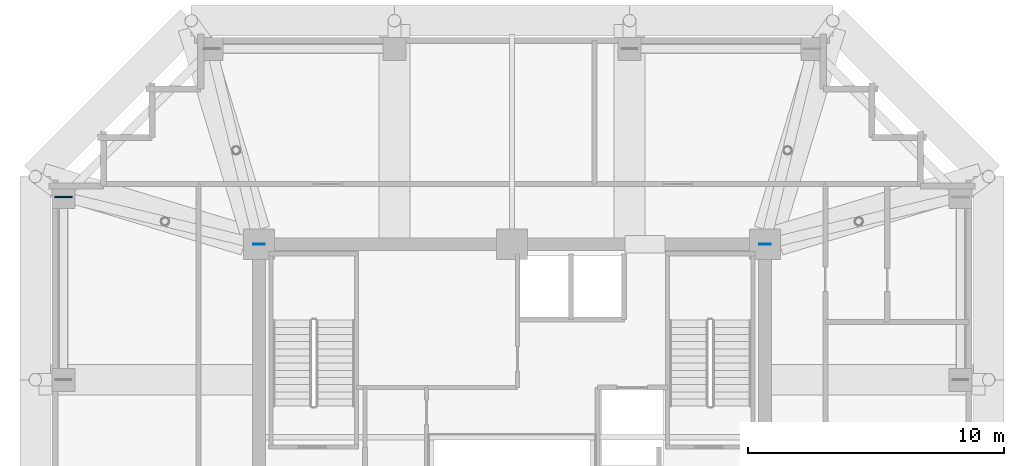
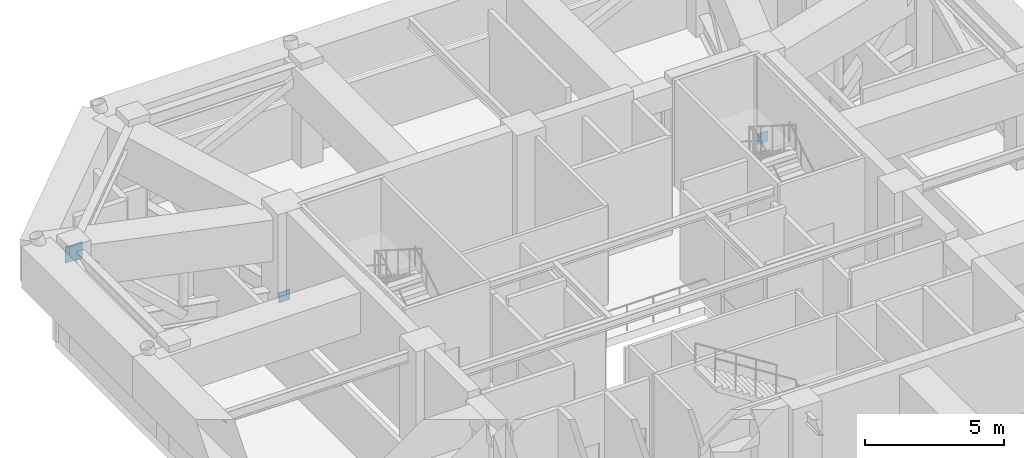
# One storey, part 8 of 12: 3 plates.
"""IFC4 building model written with IfcOpenShell, lengths in metres."""

import ifcopenshell
import ifcopenshell.guid

model = None  # the IFC model being written
_history = None  # IfcOwnerHistory: only IFC2X3 demands one
_inside = {}  # id of a spatial element -> (the spatial element, [elements in it])
_under = {}  # id of a project, library or spatial element -> (it, [spatial elements below it])
_declared = {}  # id of a project -> (the project, [libraries it declares])
_typed = {}  # id of a type object -> (the type object, [elements of that type])
_made_of = {}  # id of a material, layer set ... -> (it, [elements and type objects made of it])


def new_model(schema):
    """Start an empty IFC model of exactly this schema.

    Asked for "IFC4X3", IfcOpenShell would pick the latest addendum, in which some entities
    have other attributes; the version numbers below select the first issue.
    IFC2X3 requires an IfcOwnerHistory on every rooted entity: one is made here for all.
    """
    global model, _history
    if schema == "IFC4X3":
        model = ifcopenshell.file(schema_version=(4, 3, 0, 0))
    else:
        model = ifcopenshell.file(schema=schema)
    _inside.clear()
    _under.clear()
    _declared.clear()
    _typed.clear()
    _made_of.clear()
    _history = None
    if model.schema == "IFC2X3":
        org = make("IfcOrganization", Name="unknown")
        user = make(
            "IfcPersonAndOrganization",
            ThePerson=make("IfcPerson", FamilyName="unknown"),
            TheOrganization=org,
        )
        app = make(
            "IfcApplication",
            ApplicationDeveloper=org,
            Version="unknown",
            ApplicationFullName="unknown",
            ApplicationIdentifier="unknown",
        )
        _history = make(
            "IfcOwnerHistory",
            OwningUser=user,
            OwningApplication=app,
            ChangeAction="ADDED",
            CreationDate=0,
        )
    return model


def make(cls, **values):
    """One entity of the class cls with the attributes given. An attribute that is None is left unset."""
    return model.create_entity(
        cls, **{name: value for name, value in values.items() if value is not None}
    )


def rooted(cls, **values):
    """An entity with a GlobalId (a new one), such as an element, a storey or a relation."""
    return make(cls, GlobalId=ifcopenshell.guid.new(), OwnerHistory=_history, **values)


def si_unit(unit_type, name, prefix=None):
    """IfcSIUnit, for example si_unit("LENGTHUNIT", "METRE", prefix="MILLI")."""
    return make("IfcSIUnit", UnitType=unit_type, Prefix=prefix, Name=name)


def assignment(units):
    """IfcUnitAssignment: the units of a project."""
    return None if units is None else make("IfcUnitAssignment", Units=units)


def point(xyz):
    """IfcCartesianPoint."""
    return None if xyz is None else make("IfcCartesianPoint", Coordinates=xyz)


def direction(xyz):
    """IfcDirection."""
    return None if xyz is None else make("IfcDirection", DirectionRatios=xyz)


def frame(location, z_axis=None, x_axis=None):
    """IfcAxis2Placement3D, a coordinate frame: its origin and axes. An axis left out is left unset."""
    return make(
        "IfcAxis2Placement3D",
        Location=point(location),
        Axis=direction(z_axis),
        RefDirection=direction(x_axis),
    )


def frame_2d(location, x_axis=None):
    """IfcAxis2Placement2D, a coordinate frame in the plane: its origin and x axis."""
    return make(
        "IfcAxis2Placement2D", Location=point(location), RefDirection=direction(x_axis)
    )


def origin():
    """The frame at (0, 0, 0) with its axes left unset."""
    return frame((0.0, 0.0, 0.0))


def origin_2d():
    """The frame at (0, 0) in the plane with its x axis left unset."""
    return frame_2d((0.0, 0.0))


def place(relative_to, where):
    """IfcLocalPlacement: puts the frame where relative to a parent placement (None: the world)."""
    return make(
        "IfcLocalPlacement", PlacementRelTo=relative_to, RelativePlacement=where
    )


def context(
    kind, dimensions, precision=None, world=None, true_north=None, identifier=None
):
    """IfcGeometricRepresentationContext, for example the 3D "Model" context."""
    return make(
        "IfcGeometricRepresentationContext",
        ContextIdentifier=identifier,
        ContextType=kind,
        CoordinateSpaceDimension=dimensions,
        Precision=precision,
        WorldCoordinateSystem=world,
        TrueNorth=true_north,
    )


def subcontext(parent, identifier, kind, view, scale=None):
    """IfcGeometricRepresentationSubContext, for example "Body" below "Model"."""
    return make(
        "IfcGeometricRepresentationSubContext",
        ContextIdentifier=identifier,
        ContextType=kind,
        ParentContext=parent,
        TargetScale=scale,
        TargetView=view,
    )


def project(units=None, contexts=None):
    """IfcProject with its units and contexts."""
    return rooted(
        "IfcProject",
        Name="project",
        RepresentationContexts=contexts,
        UnitsInContext=assignment(units),
    )


def spatial(cls, under=None, at=None, **own):
    """A site, building, storey or space (cls), placed at a placement, below another one or the project."""
    s = rooted(cls, ObjectPlacement=at, **own)
    if under is not None:
        _under.setdefault(under.id(), (under, []))[1].append(s)
    return s


def profile(cls, at=None, kind="AREA", **sizes):
    """A parametric profile (cls). Its sizes go by their IFC names, for example OverallWidth=200.0."""
    return make(cls, ProfileType=kind, Position=at, **sizes)


def rectangle(**sizes):
    """IfcRectangleProfileDef."""
    return profile("IfcRectangleProfileDef", **sizes)


def extrude(swept, where, along, depth):
    """IfcExtrudedAreaSolid: the profile swept, set in the frame where, extruded along a direction by depth."""
    return make(
        "IfcExtrudedAreaSolid",
        SweptArea=swept,
        Position=where,
        ExtrudedDirection=direction(along),
        Depth=depth,
    )


def shape(context_of_items, identifier, shape_type, items):
    """IfcShapeRepresentation: the items that make up one representation, for example the "Body"."""
    return make(
        "IfcShapeRepresentation",
        ContextOfItems=context_of_items,
        RepresentationIdentifier=identifier,
        RepresentationType=shape_type,
        Items=items,
    )


def material(Name=None, Category=None):
    """IfcMaterial."""
    return make("IfcMaterial", Name=Name, Category=Category)


def layer(
    of_material, thickness, ventilated=None, Name=None, Category=None, Priority=None
):
    """IfcMaterialLayer: one layer of a wall or slab, of a material (None: an air gap)."""
    return make(
        "IfcMaterialLayer",
        Material=of_material,
        LayerThickness=thickness,
        IsVentilated=ventilated,
        Name=Name,
        Category=Category,
        Priority=Priority,
    )


def layer_set(layers, Name=None):
    """IfcMaterialLayerSet."""
    return make("IfcMaterialLayerSet", MaterialLayers=layers, LayerSetName=Name)


def made_of(thing, what):
    """Note that an element or type object is made of a material, layer set ...; save() writes the relation."""
    if what is not None:
        _made_of.setdefault(what.id(), (what, []))[1].append(thing)
    return thing


def type_object(cls, material=None, **own):
    """A type object (cls), such as IfcWallType, which elements share."""
    return made_of(rooted(cls, **own), material)


def element(
    cls,
    number,
    at=None,
    inside=None,
    cuts=None,
    type_object=None,
    material=None,
    context=None,
    identifier="Body",
    shape_type=None,
    held_by="IfcProductDefinitionShape",
    body=None,
    shapes=None,
    **own,
):
    """One element of the class cls, such as IfcWall. Its Tag is "e" and its number.

    at: its placement. inside: the storey or other place that contains it. cuts: it is an
    opening in that element (IfcRelVoidsElement). A single representation is given by context,
    identifier, shape_type and body (its items); several are given by shapes. held_by: the class
    of the entity that holds the representations. save() writes the other relations.
    """
    e = rooted(cls, Tag="e%d" % number, ObjectPlacement=at, **own)
    if body is not None:
        shapes = [shape(context, identifier, shape_type, body)]
    if shapes is not None:
        e.Representation = make(held_by, Representations=shapes)
    if inside is not None:
        _inside.setdefault(inside.id(), (inside, []))[1].append(e)
    if cuts is not None:
        rooted(
            "IfcRelVoidsElement", RelatingBuildingElement=cuts, RelatedOpeningElement=e
        )
    if type_object is not None:
        _typed.setdefault(type_object.id(), (type_object, []))[1].append(e)
    return made_of(e, material)


def aggregate(whole, parts):
    """IfcRelAggregates: a whole, such as a stair, and the parts it consists of."""
    return rooted("IfcRelAggregates", RelatingObject=whole, RelatedObjects=parts)


def save(model, path):
    """Write the relations noted so far, then the file.

    IfcRelAggregates (storeys below a building ...), IfcRelContainedInSpatialStructure (elements
    in a storey), IfcRelDefinesByType, IfcRelAssociatesMaterial and IfcRelDeclares: one each for
    every whole, place, type object, material and project.
    """
    for whole, parts in _under.values():
        aggregate(whole, parts)
    for where, things in _inside.values():
        rooted(
            "IfcRelContainedInSpatialStructure",
            RelatedElements=things,
            RelatingStructure=where,
        )
    for kind, things in _typed.values():
        rooted("IfcRelDefinesByType", RelatedObjects=things, RelatingType=kind)
    for what, things in _made_of.values():
        rooted("IfcRelAssociatesMaterial", RelatedObjects=things, RelatingMaterial=what)
    for by, libraries in _declared.values():
        rooted("IfcRelDeclares", RelatingContext=by, RelatedDefinitions=libraries)
    model.write(path)


model = new_model("IFC4")

# Units and contexts
model_context = context("Model", 3, precision=1e-05, world=origin(), true_north=direction((0.0, 1.0)))
body_context = subcontext(model_context, "Body", "Model", "MODEL_VIEW")
ifc_project = project(units=[si_unit("LENGTHUNIT", "METRE"), si_unit("AREAUNIT", "SQUARE_METRE"), si_unit("VOLUMEUNIT", "CUBIC_METRE"), si_unit("PLANEANGLEUNIT", "RADIAN"), si_unit("MASSUNIT", "GRAM", prefix="KILO")], contexts=[model_context])

# Site, building, storey
site_placement = place(None, origin())
site = spatial("IfcSite", under=ifc_project, at=site_placement, CompositionType="ELEMENT")
building_placement = place(site_placement, origin())
building = spatial("IfcBuilding", under=site, at=building_placement, Name="Kolvaren Belvedere", CompositionType="ELEMENT")
storey_placement = place(building_placement, frame((0.0, 0.0, 148.10009765625)))
storey = spatial("IfcBuildingStorey", under=building, at=storey_placement, Name="L43", CompositionType="ELEMENT", Elevation=148.10009765625)

# Plates
ifc_material_1 = material(Name="Structural steel ASTM A572 Grade 50", Category="steel")
ifc_layer_1 = layer(ifc_material_1, 0.02490234375)
ifc_layer_set_1 = layer_set([ifc_layer_1], Name="Structural steel ASTM A572 Grade 50")
plate_type_1 = type_object("IfcPlateType", Name="PL-GUSSET-25", PredefinedType="USERDEFINED", material=ifc_layer_set_1)
for number, where, z_axis, x_axis, name in (
    (1, (9.89990234375, 9.89990234375, 0.2548828125), (0.0, 0.0, 1.0), (1.0, 0.0, 0.0), "L43 Outrigger Node Cap Gusset OC-CC3"),
    (2, (-9.89990234375, 9.89990234375, 0.2548828125), (0.0, 0.0, 1.0), (1.0, 0.0, 0.0), "L43 Outrigger Node Cap Gusset OC-CC4"),
):
    element("IfcPlate", number, at=place(storey_placement, frame(where, z_axis=z_axis, x_axis=x_axis)), inside=storey, type_object=plate_type_1, Name=name, ObjectType="GUSSET PLATE", PredefinedType="USERDEFINED", context=body_context, shape_type="SweptSolid", body=[
        extrude(rectangle(XDim=0.449951171875, YDim=0.02490234375, at=origin_2d()), origin(), (0.0, 0.0, 1.0), 0.449951171875),
    ])
ifc_material_2 = material(Name="Structural steel ASTM A572 Grade 50", Category="steel")
ifc_layer_2 = layer(ifc_material_2, 0.0400390625)
ifc_layer_set_2 = layer_set([ifc_layer_2], Name="Structural steel ASTM A572 Grade 50")
plate_type_2 = type_object("IfcPlateType", Name="PL-GUSSET-40", PredefinedType="USERDEFINED", material=ifc_layer_set_2)
plate_placement = place(storey_placement, frame((-17.550048828125, 11.75, 3.60009765625), z_axis=(0.0, 0.0, 1.0), x_axis=(1.0, 0.0, 0.0)))
element("IfcPlate", 3, at=plate_placement, inside=storey, type_object=plate_type_2, Name="L43 Outrigger Truss Node Gusset ON-8", ObjectType="GUSSET PLATE", PredefinedType="USERDEFINED", context=body_context, shape_type="SweptSolid", body=[
    extrude(rectangle(XDim=0.699951171875, YDim=0.0400390625, at=origin_2d()), origin(), (0.0, 0.0, 1.0), 0.699951171875),
])

save(model, "model.ifc")
